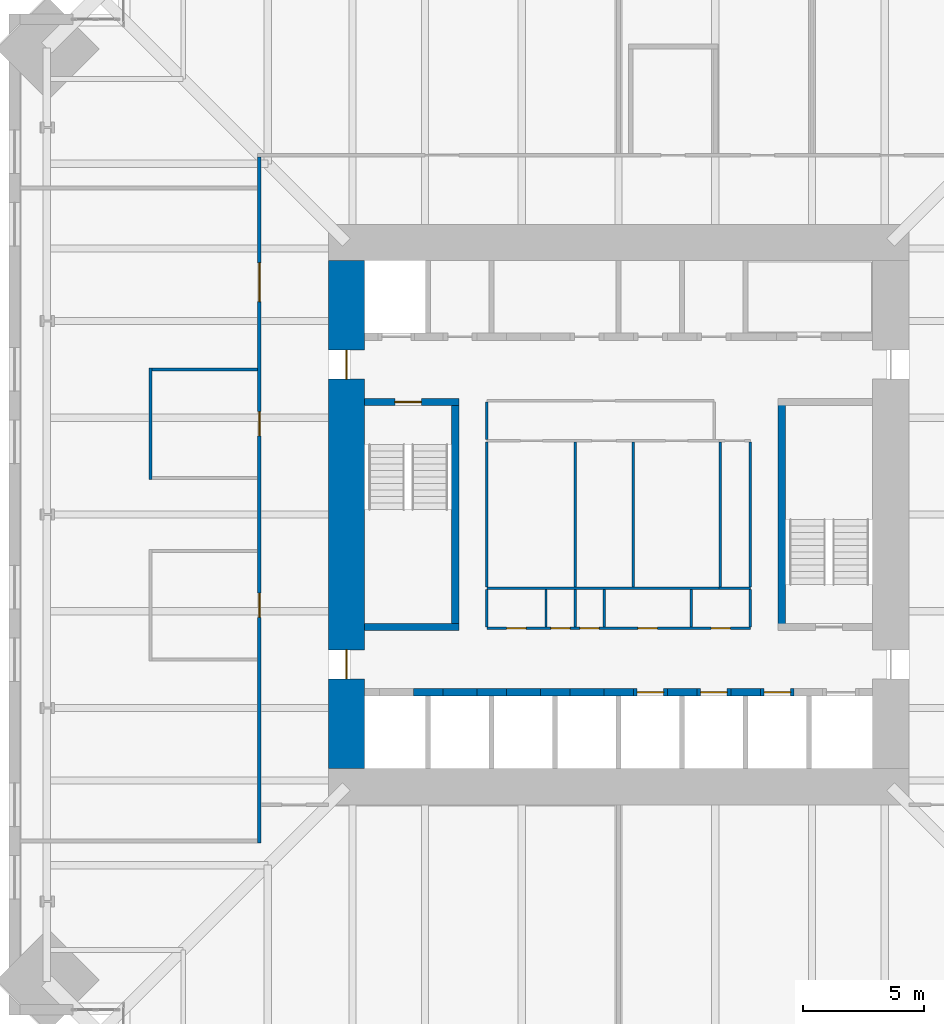
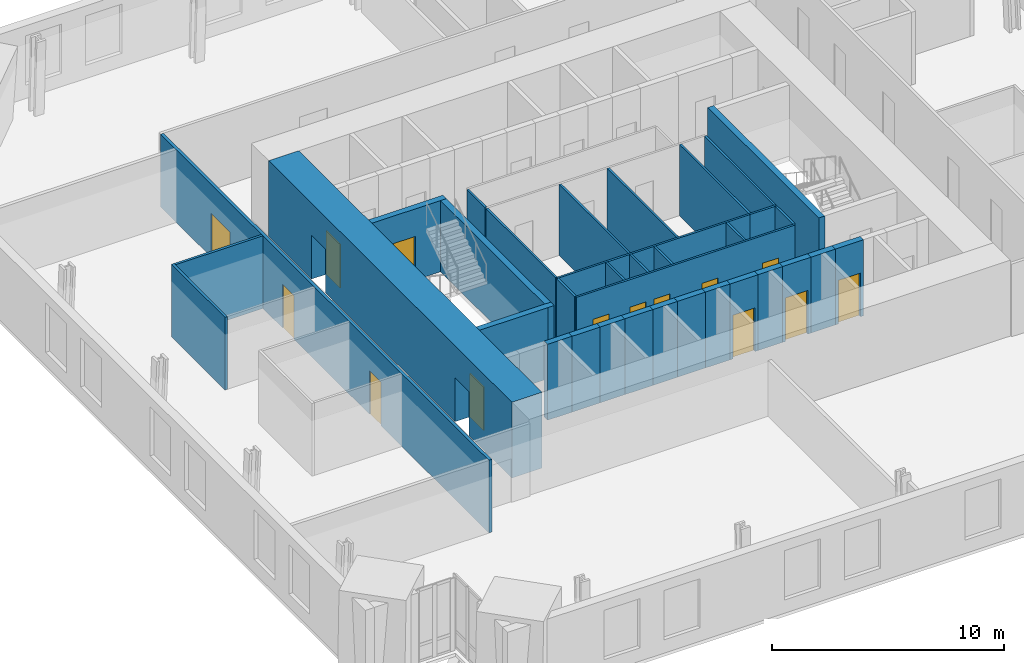
# One storey, part 11 of 15: 35 walls, 14 doors, 14 openings.
"""IFC4 building model written with IfcOpenShell, lengths in metres."""

from ifc_helpers import new_model, si_unit, direction, frame, frame_2d, origin, place, context, subcontext, project, spatial, rectangle, extrude, material, layer, layer_set, type_object, element, fill, save


model = new_model("IFC4")

# Units and contexts
model_context = context("Model", 3, precision=1e-05, world=origin(), true_north=direction((0.0, 1.0)))
body_context = subcontext(model_context, "Body", "Model", "MODEL_VIEW")
ifc_project = project(units=[si_unit("LENGTHUNIT", "METRE"), si_unit("AREAUNIT", "SQUARE_METRE"), si_unit("VOLUMEUNIT", "CUBIC_METRE"), si_unit("PLANEANGLEUNIT", "RADIAN"), si_unit("MASSUNIT", "GRAM", prefix="KILO")], contexts=[model_context])

# Site, building, storey
site_placement = place(None, origin())
site = spatial("IfcSite", under=ifc_project, at=site_placement, CompositionType="ELEMENT")
building_placement = place(site_placement, origin())
building = spatial("IfcBuilding", under=site, at=building_placement, Name="Peilmerk Tower", CompositionType="ELEMENT")
storey_placement = place(building_placement, frame((0.0, 0.0, 179.800048828125)))
storey = spatial("IfcBuildingStorey", under=building, at=storey_placement, Name="L38", CompositionType="ELEMENT", Elevation=179.800048828125)

# Wall, openings, doors
ifc_material_1 = material(Name="Calcium silicate block", Category="masonry")
ifc_layer_1 = layer(ifc_material_1, 0.14990234375)
ifc_layer_set_1 = layer_set([ifc_layer_1], Name="Calcium silicate block")
wall_type_1 = type_object("IfcWallType", Name="IW1 150 corridor partition, EI 60", PredefinedType="PARTITIONING", material=ifc_layer_set_1)
wall_1_placement = place(storey_placement, frame((-14.85009765625, 14.77490234375, 0.0), z_axis=(0.0, 0.0, 1.0), x_axis=(0.0, -1.0, 0.0)))
wall_1 = element("IfcWall", 1, at=wall_1_placement, inside=storey, type_object=wall_type_1, Name="Corridor wall W L38", PredefinedType="PARTITIONING", context=body_context, shape_type="SweptSolid", body=[
    extrude(rectangle(XDim=28.349853515625, YDim=0.14990234375, at=frame_2d((14.1748046875, 0.0))), origin(), (0.0, 0.0, 1.0), 3.829833984375),
])
opening_1_placement = place(wall_1_placement, frame((4.375, 0.0, 0.0)))
opening_1 = element("IfcOpeningElement", 2, at=opening_1_placement, cuts=wall_1, Name="Opening D9", PredefinedType="OPENING", context=body_context, shape_type="SweptSolid", body=[
    extrude(rectangle(XDim=1.60009765625, YDim=2.300048828125, at=frame_2d((0.800048828125, 1.14990234375))), frame((0.0, 0.0849609375, 0.0), z_axis=(0.0, -1.0, 0.0), x_axis=(1.0, 0.0, 0.0)), (0.0, 0.0, 1.0), 0.169921875),
])
opening_2_placement = place(wall_1_placement, frame((18.02490234375, 0.0, 0.0)))
opening_2 = element("IfcOpeningElement", 3, at=opening_2_placement, cuts=wall_1, Name="Opening D1", PredefinedType="OPENING", context=body_context, shape_type="SweptSolid", body=[
    extrude(rectangle(XDim=1.0, YDim=2.300048828125, at=frame_2d((0.5, 1.14990234375))), frame((0.0, 0.0849609375, 0.0), z_axis=(0.0, -1.0, 0.0), x_axis=(1.0, 0.0, 0.0)), (0.0, 0.0, 1.0), 0.169921875),
])
opening_3_placement = place(wall_1_placement, frame((10.52490234375, 0.0, 0.0)))
opening_3 = element("IfcOpeningElement", 4, at=opening_3_placement, cuts=wall_1, Name="Opening D1", PredefinedType="OPENING", context=body_context, shape_type="SweptSolid", body=[
    extrude(rectangle(XDim=1.0, YDim=2.300048828125, at=frame_2d((0.5, 1.14990234375))), frame((0.0, 0.0849609375, 0.0), z_axis=(0.0, -1.0, 0.0), x_axis=(1.0, 0.0, 0.0)), (0.0, 0.0, 1.0), 0.169921875),
])
ifc_material_2 = material(Name="Timber door in steel frame", Category="steel")
door_type_1 = type_object("IfcDoorType", Name="D1 1000x2300 room door, EI2 30", OperationType="SINGLE_SWING_LEFT", PredefinedType="DOOR", material=ifc_material_2)
door_1_placement = place(opening_2_placement, frame((1.0, 0.0, 0.0), z_axis=(0.0, 0.0, 1.0), x_axis=(-1.0, 0.0, 0.0)))
door_1 = element("IfcDoor", 5, at=door_1_placement, inside=storey, type_object=door_type_1, Name="Door Meeting room L38", OperationType="SINGLE_SWING_LEFT", OverallHeight=2.300048828125, OverallWidth=1.0, PredefinedType="DOOR", context=body_context, shape_type="SweptSolid", body=[
    extrude(rectangle(XDim=1.0, YDim=2.300048828125, at=frame_2d((0.5, 1.14990234375))), frame((0.0, 0.02490234375, 0.0), z_axis=(0.0, -1.0, 0.0), x_axis=(1.0, 0.0, 0.0)), (0.0, 0.0, 1.0), 0.050048828125),
])
fill(opening_2, door_1)
door_2_placement = place(opening_3_placement, frame((1.0, 0.0, 0.0), z_axis=(0.0, 0.0, 1.0), x_axis=(-1.0, 0.0, 0.0)))
door_2 = element("IfcDoor", 6, at=door_2_placement, inside=storey, type_object=door_type_1, Name="Door Focus room L38", OperationType="SINGLE_SWING_LEFT", OverallHeight=2.300048828125, OverallWidth=1.0, PredefinedType="DOOR", context=body_context, shape_type="SweptSolid", body=[
    extrude(rectangle(XDim=1.0, YDim=2.300048828125, at=frame_2d((0.5, 1.14990234375))), frame((0.0, 0.02490234375, 0.0), z_axis=(0.0, -1.0, 0.0), x_axis=(1.0, 0.0, 0.0)), (0.0, 0.0, 1.0), 0.050048828125),
])
fill(opening_3, door_2)
ifc_material_3 = material(Name="Glazed timber door in steel frame", Category="steel")
door_type_2 = type_object("IfcDoorType", Name="D9 1600x2300 glazed double door, EI2 30", OperationType="DOUBLE_DOOR_SINGLE_SWING", PredefinedType="DOOR", material=ifc_material_3)
door_3_placement = place(opening_1_placement, frame((1.60009765625, 0.0, 0.0), z_axis=(0.0, 0.0, 1.0), x_axis=(-1.0, 0.0, 0.0)))
door_3 = element("IfcDoor", 7, at=door_3_placement, inside=storey, type_object=door_type_2, Name="Door Open workspace L38", OperationType="DOUBLE_DOOR_SINGLE_SWING", OverallHeight=2.300048828125, OverallWidth=1.60009765625, PredefinedType="DOOR", context=body_context, shape_type="SweptSolid", body=[
    extrude(rectangle(XDim=1.60009765625, YDim=2.300048828125, at=frame_2d((0.800048828125, 1.14990234375))), frame((0.0, 0.02490234375, 0.0), z_axis=(0.0, -1.0, 0.0), x_axis=(1.0, 0.0, 0.0)), (0.0, 0.0, 1.0), 0.050048828125),
])
fill(opening_1, door_3)

# Wall
ifc_material_4 = material(Name="Concrete C35/45", Category="concrete")
ifc_layer_2 = layer(ifc_material_4, 0.300048828125)
ifc_layer_set_2 = layer_set([ifc_layer_2], Name="Concrete C35/45")
wall_type_2 = type_object("IfcWallType", Name="IW3 300 concrete stair enclosure wall, EI 120", PredefinedType="SOLIDWALL", material=ifc_layer_set_2)
wall_2_placement = place(storey_placement, frame((-6.75, -4.800048828125, 0.0), z_axis=(0.0, 0.0, 1.0), x_axis=(0.0, 1.0, 0.0)))
element("IfcWall", 8, at=wall_2_placement, inside=storey, type_object=wall_type_2, Name="Stair 1 enclosure L38", PredefinedType="SOLIDWALL", context=body_context, shape_type="SweptSolid", body=[
    extrude(rectangle(XDim=9.60009765625, YDim=0.300048828125, at=frame_2d((4.800048828125, 0.0))), origin(), (0.0, 0.0, 1.0), 3.75),
])

# Wall, opening, door
wall_3_placement = place(storey_placement, frame((-10.5, 4.64990234375, 0.0), z_axis=(0.0, 0.0, 1.0), x_axis=(1.0, 0.0, 0.0)))
wall_3 = element("IfcWall", 9, at=wall_3_placement, inside=storey, type_object=wall_type_2, Name="Stair 1 enclosure L38", PredefinedType="SOLIDWALL", context=body_context, shape_type="SweptSolid", body=[
    extrude(rectangle(XDim=3.89990234375, YDim=0.300048828125, at=frame_2d((1.949951171875, 0.0))), origin(), (0.0, 0.0, 1.0), 3.75),
])
opening_4_placement = place(wall_3_placement, frame((1.25, 0.0, 0.0)))
opening_4 = element("IfcOpeningElement", 10, at=opening_4_placement, cuts=wall_3, Name="Opening D4", PredefinedType="OPENING", context=body_context, shape_type="SweptSolid", body=[
    extrude(rectangle(XDim=1.10009765625, YDim=2.300048828125, at=frame_2d((0.550048828125, 1.14990234375))), frame((0.0, 0.159912109375, 0.0), z_axis=(0.0, -1.0, 0.0), x_axis=(1.0, 0.0, 0.0)), (0.0, 0.0, 1.0), 0.320068359375),
])
ifc_material_5 = material(Name="Steel door in steel frame", Category="steel")
door_type_3 = type_object("IfcDoorType", Name="D4 1100x2300 stair door, EI2 60", OperationType="SINGLE_SWING_RIGHT", PredefinedType="DOOR", material=ifc_material_5)
door_4_placement = place(opening_4_placement, frame((1.10009765625, 0.0, 0.0), z_axis=(0.0, 0.0, 1.0), x_axis=(-1.0, 0.0, 0.0)))
door_4 = element("IfcDoor", 11, at=door_4_placement, inside=storey, type_object=door_type_3, Name="Stair 1 door L38", OperationType="SINGLE_SWING_RIGHT", OverallHeight=2.300048828125, OverallWidth=1.10009765625, PredefinedType="DOOR", context=body_context, shape_type="SweptSolid", body=[
    extrude(rectangle(XDim=1.10009765625, YDim=2.300048828125, at=frame_2d((0.550048828125, 1.14990234375))), frame((0.0, 0.02490234375, 0.0), z_axis=(0.0, -1.0, 0.0), x_axis=(1.0, 0.0, 0.0)), (0.0, 0.0, 1.0), 0.050048828125),
])
fill(opening_4, door_4)

# Walls
wall_4_placement = place(storey_placement, frame((-6.60009765625, -4.64990234375, 0.0), z_axis=(0.0, 0.0, 1.0), x_axis=(-1.0, 0.0, 0.0)))
element("IfcWall", 12, at=wall_4_placement, inside=storey, type_object=wall_type_2, Name="Stair 1 enclosure L38", PredefinedType="SOLIDWALL", context=body_context, shape_type="SweptSolid", body=[
    extrude(rectangle(XDim=3.89990234375, YDim=0.300048828125, at=frame_2d((1.949951171875, 0.0))), origin(), (0.0, 0.0, 1.0), 3.75),
])
wall_5_placement = place(storey_placement, frame((6.75, -4.800048828125, 0.0), z_axis=(0.0, 0.0, 1.0), x_axis=(0.0, 1.0, 0.0)))
element("IfcWall", 13, at=wall_5_placement, inside=storey, type_object=wall_type_2, Name="Stair 2 enclosure L38", PredefinedType="SOLIDWALL", context=body_context, shape_type="SweptSolid", body=[
    extrude(rectangle(XDim=9.60009765625, YDim=0.300048828125, at=frame_2d((4.800048828125, 0.0))), origin(), (0.0, 0.0, 1.0), 3.75),
])
ifc_material_6 = material(Name="Plasterboard on steel studs", Category="steel")
ifc_layer_3 = layer(ifc_material_6, 0.10009765625)
ifc_layer_set_3 = layer_set([ifc_layer_3], Name="Plasterboard on steel studs")
wall_type_3 = type_object("IfcWallType", Name="IW4 100 WC partition", PredefinedType="PARTITIONING", material=ifc_layer_set_3)
wall_6_placement = place(storey_placement, frame((4.14990234375, -3.050048828125, 0.0), z_axis=(0.0, 0.0, 1.0), x_axis=(-1.0, 0.0, 0.0)))
element("IfcWall", 14, at=wall_6_placement, inside=storey, type_object=wall_type_3, Name="WC wall L38", PredefinedType="PARTITIONING", context=body_context, shape_type="SweptSolid", body=[
    extrude(rectangle(XDim=9.599853515625, YDim=0.10009765625, at=frame_2d((4.7998046875, 0.0))), origin(), (0.0, 0.0, 1.0), 3.75),
])
for number, where, z_axis, x_axis, name in (
    (15, (-5.449951171875, -3.0, 0.0), (0.0, 0.0, 1.0), (0.0, 1.0, 0.0), "WC wall L38"),
    (16, (-1.800048828125, -3.0, 0.0), (0.0, 0.0, 1.0), (0.0, 1.0, 0.0), "WC wall L38"),
    (17, (0.60009765625, -3.0, 0.0), (0.0, 0.0, 1.0), (0.0, 1.0, 0.0), "WC wall L38"),
):
    element("IfcWall", number, at=place(storey_placement, frame(where, z_axis=z_axis, x_axis=x_axis)), inside=storey, type_object=wall_type_3, Name=name, PredefinedType="PARTITIONING", context=body_context, shape_type="SweptSolid", body=[
        extrude(rectangle(XDim=6.0, YDim=0.10009765625, at=frame_2d((3.0, 0.0))), origin(), (0.0, 0.0, 1.0), 3.75),
    ])
ifc_material_7 = material(Name="Calcium silicate board on steel studs", Category="steel")
ifc_layer_4 = layer(ifc_material_7, 0.10009765625)
ifc_layer_set_4 = layer_set([ifc_layer_4], Name="Calcium silicate board on steel studs")
wall_type_4 = type_object("IfcWallType", Name="IW5 100 riser enclosure wall, EI 60", PredefinedType="PARTITIONING", material=ifc_layer_set_4)
wall_7_placement = place(storey_placement, frame((5.449951171875, -3.050048828125, 0.0), z_axis=(0.0, 0.0, 1.0), x_axis=(-1.0, 0.0, 0.0)))
element("IfcWall", 18, at=wall_7_placement, inside=storey, type_object=wall_type_4, Name="Riser wall L38", PredefinedType="PARTITIONING", context=body_context, shape_type="SweptSolid", body=[
    extrude(rectangle(XDim=1.300048828125, YDim=0.10009765625, at=frame_2d((0.64990234375, 0.0))), origin(), (0.0, 0.0, 1.0), 3.75),
])
for number, where, z_axis, x_axis, name in (
    (19, (5.449951171875, 3.0, 0.0), (0.0, 0.0, 1.0), (0.0, -1.0, 0.0), "Riser wall L38"),
    (20, (4.199951171875, -3.0, 0.0), (0.0, 0.0, 1.0), (0.0, 1.0, 0.0), "Riser wall L38"),
):
    element("IfcWall", number, at=place(storey_placement, frame(where, z_axis=z_axis, x_axis=x_axis)), inside=storey, type_object=wall_type_4, Name=name, PredefinedType="PARTITIONING", context=body_context, shape_type="SweptSolid", body=[
        extrude(rectangle(XDim=6.0, YDim=0.10009765625, at=frame_2d((3.0, 0.0))), origin(), (0.0, 0.0, 1.0), 3.75),
    ])

# Wall, openings, doors
wall_8_placement = place(storey_placement, frame((5.449951171875, -4.699951171875, 0.0), z_axis=(0.0, 0.0, 1.0), x_axis=(-1.0, 0.0, 0.0)))
wall_8 = element("IfcWall", 21, at=wall_8_placement, inside=storey, type_object=wall_type_4, Name="Riser wall L38", PredefinedType="PARTITIONING", context=body_context, shape_type="SweptSolid", body=[
    extrude(rectangle(XDim=10.89990234375, YDim=0.10009765625, at=frame_2d((5.449951171875, 0.0))), origin(), (0.0, 0.0, 1.0), 3.75),
])
opening_5_placement = place(wall_8_placement, frame((9.27490234375, 0.0, 0.0)))
opening_5 = element("IfcOpeningElement", 22, at=opening_5_placement, cuts=wall_8, Name="Opening D7", PredefinedType="OPENING", context=body_context, shape_type="SweptSolid", body=[
    extrude(rectangle(XDim=0.800048828125, YDim=2.300048828125, at=frame_2d((0.39990234375, 1.14990234375))), frame((0.0, 0.06005859375, 0.0), z_axis=(0.0, -1.0, 0.0), x_axis=(1.0, 0.0, 0.0)), (0.0, 0.0, 1.0), 0.1201171875),
])
opening_6_placement = place(wall_8_placement, frame((7.449951171875, 0.0, 0.0)))
opening_6 = element("IfcOpeningElement", 23, at=opening_6_placement, cuts=wall_8, Name="Opening D7", PredefinedType="OPENING", context=body_context, shape_type="SweptSolid", body=[
    extrude(rectangle(XDim=0.800048828125, YDim=2.300048828125, at=frame_2d((0.39990234375, 1.14990234375))), frame((0.0, 0.06005859375, 0.0), z_axis=(0.0, -1.0, 0.0), x_axis=(1.0, 0.0, 0.0)), (0.0, 0.0, 1.0), 0.1201171875),
])
opening_7_placement = place(wall_8_placement, frame((6.25, 0.0, 0.0)))
opening_7 = element("IfcOpeningElement", 24, at=opening_7_placement, cuts=wall_8, Name="Opening D7", PredefinedType="OPENING", context=body_context, shape_type="SweptSolid", body=[
    extrude(rectangle(XDim=0.800048828125, YDim=2.300048828125, at=frame_2d((0.39990234375, 1.14990234375))), frame((0.0, 0.06005859375, 0.0), z_axis=(0.0, -1.0, 0.0), x_axis=(1.0, 0.0, 0.0)), (0.0, 0.0, 1.0), 0.1201171875),
])
opening_8_placement = place(wall_8_placement, frame((3.85009765625, 0.0, 0.0)))
opening_8 = element("IfcOpeningElement", 25, at=opening_8_placement, cuts=wall_8, Name="Opening D7", PredefinedType="OPENING", context=body_context, shape_type="SweptSolid", body=[
    extrude(rectangle(XDim=0.800048828125, YDim=2.300048828125, at=frame_2d((0.39990234375, 1.14990234375))), frame((0.0, 0.06005859375, 0.0), z_axis=(0.0, -1.0, 0.0), x_axis=(1.0, 0.0, 0.0)), (0.0, 0.0, 1.0), 0.1201171875),
])
opening_9_placement = place(wall_8_placement, frame((0.824951171875, 0.0, 0.0)))
opening_9 = element("IfcOpeningElement", 26, at=opening_9_placement, cuts=wall_8, Name="Opening D7", PredefinedType="OPENING", context=body_context, shape_type="SweptSolid", body=[
    extrude(rectangle(XDim=0.800048828125, YDim=2.300048828125, at=frame_2d((0.39990234375, 1.14990234375))), frame((0.0, 0.06005859375, 0.0), z_axis=(0.0, -1.0, 0.0), x_axis=(1.0, 0.0, 0.0)), (0.0, 0.0, 1.0), 0.1201171875),
])
door_type_4 = type_object("IfcDoorType", Name="D7 800x2300 riser access door, EI2 60", OperationType="SINGLE_SWING_RIGHT", PredefinedType="DOOR", material=ifc_material_5)
door_5_placement = place(opening_5_placement, frame((0.800048828125, 0.0, 0.0), z_axis=(0.0, 0.0, 1.0), x_axis=(-1.0, 0.0, 0.0)))
door_5 = element("IfcDoor", 27, at=door_5_placement, inside=storey, type_object=door_type_4, Name="Cleaner's cupboard door L38", OperationType="SINGLE_SWING_RIGHT", OverallHeight=2.300048828125, OverallWidth=0.800048828125, PredefinedType="DOOR", context=body_context, shape_type="SweptSolid", body=[
    extrude(rectangle(XDim=0.800048828125, YDim=2.300048828125, at=frame_2d((0.39990234375, 1.14990234375))), frame((0.0, 0.02490234375, 0.0), z_axis=(0.0, -1.0, 0.0), x_axis=(1.0, 0.0, 0.0)), (0.0, 0.0, 1.0), 0.050048828125),
])
fill(opening_5, door_5)
door_6_placement = place(opening_6_placement, frame((0.800048828125, 0.0, 0.0), z_axis=(0.0, 0.0, 1.0), x_axis=(-1.0, 0.0, 0.0)))
door_6 = element("IfcDoor", 28, at=door_6_placement, inside=storey, type_object=door_type_4, Name="Electrical riser door L38", OperationType="SINGLE_SWING_RIGHT", OverallHeight=2.300048828125, OverallWidth=0.800048828125, PredefinedType="DOOR", context=body_context, shape_type="SweptSolid", body=[
    extrude(rectangle(XDim=0.800048828125, YDim=2.300048828125, at=frame_2d((0.39990234375, 1.14990234375))), frame((0.0, 0.02490234375, 0.0), z_axis=(0.0, -1.0, 0.0), x_axis=(1.0, 0.0, 0.0)), (0.0, 0.0, 1.0), 0.050048828125),
])
fill(opening_6, door_6)
door_7_placement = place(opening_7_placement, frame((0.800048828125, 0.0, 0.0), z_axis=(0.0, 0.0, 1.0), x_axis=(-1.0, 0.0, 0.0)))
door_7 = element("IfcDoor", 29, at=door_7_placement, inside=storey, type_object=door_type_4, Name="Data riser door L38", OperationType="SINGLE_SWING_RIGHT", OverallHeight=2.300048828125, OverallWidth=0.800048828125, PredefinedType="DOOR", context=body_context, shape_type="SweptSolid", body=[
    extrude(rectangle(XDim=0.800048828125, YDim=2.300048828125, at=frame_2d((0.39990234375, 1.14990234375))), frame((0.0, 0.02490234375, 0.0), z_axis=(0.0, -1.0, 0.0), x_axis=(1.0, 0.0, 0.0)), (0.0, 0.0, 1.0), 0.050048828125),
])
fill(opening_7, door_7)
door_8_placement = place(opening_8_placement, frame((0.800048828125, 0.0, 0.0), z_axis=(0.0, 0.0, 1.0), x_axis=(-1.0, 0.0, 0.0)))
door_8 = element("IfcDoor", 30, at=door_8_placement, inside=storey, type_object=door_type_4, Name="Comms room door L38", OperationType="SINGLE_SWING_RIGHT", OverallHeight=2.300048828125, OverallWidth=0.800048828125, PredefinedType="DOOR", context=body_context, shape_type="SweptSolid", body=[
    extrude(rectangle(XDim=0.800048828125, YDim=2.300048828125, at=frame_2d((0.39990234375, 1.14990234375))), frame((0.0, 0.02490234375, 0.0), z_axis=(0.0, -1.0, 0.0), x_axis=(1.0, 0.0, 0.0)), (0.0, 0.0, 1.0), 0.050048828125),
])
fill(opening_8, door_8)
door_9_placement = place(opening_9_placement, frame((0.800048828125, 0.0, 0.0), z_axis=(0.0, 0.0, 1.0), x_axis=(-1.0, 0.0, 0.0)))
door_9 = element("IfcDoor", 31, at=door_9_placement, inside=storey, type_object=door_type_4, Name="Water meter room door L38", OperationType="SINGLE_SWING_RIGHT", OverallHeight=2.300048828125, OverallWidth=0.800048828125, PredefinedType="DOOR", context=body_context, shape_type="SweptSolid", body=[
    extrude(rectangle(XDim=0.800048828125, YDim=2.300048828125, at=frame_2d((0.39990234375, 1.14990234375))), frame((0.0, 0.02490234375, 0.0), z_axis=(0.0, -1.0, 0.0), x_axis=(1.0, 0.0, 0.0)), (0.0, 0.0, 1.0), 0.050048828125),
])
fill(opening_9, door_9)

# Walls
for number, where, z_axis, x_axis, name in (
    (32, (-5.449951171875, -3.10009765625, 0.0), (0.0, 0.0, 1.0), (0.0, -1.0, 0.0), "Riser wall L38"),
    (33, (5.449951171875, -3.10009765625, 0.0), (0.0, 0.0, 1.0), (0.0, -1.0, 0.0), "Riser wall L38"),
    (34, (-3.0, -3.10009765625, 0.0), (0.0, 0.0, 1.0), (0.0, -1.0, 0.0), "Riser wall L38"),
    (35, (-1.800048828125, -3.10009765625, 0.0), (0.0, 0.0, 1.0), (0.0, -1.0, 0.0), "Riser wall L38"),
    (36, (-0.60009765625, -3.10009765625, 0.0), (0.0, 0.0, 1.0), (0.0, -1.0, 0.0), "Riser wall L38"),
    (37, (3.0, -3.10009765625, 0.0), (0.0, 0.0, 1.0), (0.0, -1.0, 0.0), "Riser wall L38"),
):
    element("IfcWall", number, at=place(storey_placement, frame(where, z_axis=z_axis, x_axis=x_axis)), inside=storey, type_object=wall_type_4, Name=name, PredefinedType="PARTITIONING", context=body_context, shape_type="SweptSolid", body=[
        extrude(rectangle(XDim=1.5498046875, YDim=0.10009765625, at=frame_2d((0.77490234375, 0.0))), origin(), (0.0, 0.0, 1.0), 3.75),
    ])
ifc_material_8 = material(Name="Plasterboard on steel studs, double boarded with mineral wool", Category="steel")
ifc_layer_5 = layer(ifc_material_8, 0.125)
ifc_layer_set_5 = layer_set([ifc_layer_5], Name="Plasterboard on steel studs, double boarded with mineral wool")
wall_type_5 = type_object("IfcWallType", Name="IW7 125 acoustic partition, EI 30", PredefinedType="PARTITIONING", material=ifc_layer_set_5)
wall_9_placement = place(storey_placement, frame((-19.35009765625, 1.4375, 0.0), z_axis=(0.0, 0.0, 1.0), x_axis=(0.0, 1.0, 0.0)))
element("IfcWall", 38, at=wall_9_placement, inside=storey, type_object=wall_type_5, Name="Acoustic partition Focus room L38", PredefinedType="PARTITIONING", context=body_context, shape_type="SweptSolid", body=[
    extrude(rectangle(XDim=4.625, YDim=0.125, at=frame_2d((2.3125, 0.0))), origin(), (0.0, 0.0, 1.0), 3.829833984375),
])
wall_10_placement = place(storey_placement, frame((-14.925048828125, 6.0, 0.0), z_axis=(0.0, 0.0, 1.0), x_axis=(-1.0, 0.0, 0.0)))
element("IfcWall", 39, at=wall_10_placement, inside=storey, type_object=wall_type_5, Name="Acoustic partition Focus room L38", PredefinedType="PARTITIONING", context=body_context, shape_type="SweptSolid", body=[
    extrude(rectangle(XDim=4.362548828125, YDim=0.125, at=frame_2d((2.18115234375, 0.0))), origin(), (0.0, 0.0, 1.0), 3.829833984375),
])
ifc_material_9 = material(Name="Fire-resisting plasterboard on steel studs", Category="steel")
ifc_layer_6 = layer(ifc_material_9, 0.10009765625)
ifc_layer_set_6 = layer_set([ifc_layer_6], Name="Fire-resisting plasterboard on steel studs")
wall_type_6 = type_object("IfcWallType", Name="IW9 100 WC lobby wall, EI 30", PredefinedType="PARTITIONING", material=ifc_layer_set_6)
wall_11_placement = place(storey_placement, frame((-5.449951171875, 3.10009765625, 0.0), z_axis=(0.0, 0.0, 1.0), x_axis=(0.0, 1.0, 0.0)))
element("IfcWall", 40, at=wall_11_placement, inside=storey, type_object=wall_type_6, Name="WC lobby wall L38", PredefinedType="PARTITIONING", context=body_context, shape_type="SweptSolid", body=[
    extrude(rectangle(XDim=1.5498046875, YDim=0.10009765625, at=frame_2d((0.77490234375, 0.0))), origin(), (0.0, 0.0, 1.0), 3.75),
])
ifc_layer_7 = layer(ifc_material_1, 0.300048828125)
ifc_layer_set_7 = layer_set([ifc_layer_7], Name="Calcium silicate block")
wall_type_7 = type_object("IfcWallType", Name="SH2 300 lift landing door panel, EI 120", PredefinedType="PARTITIONING", material=ifc_layer_set_7)
for number, where, z_axis, x_axis, name in (
    (41, (-7.262451171875, -7.35009765625, 0.0), (0.0, 0.0, 1.0), (1.0, 0.0, 0.0), "Lift door panel S C3 L38"),
    (42, (-4.637451171875, -7.35009765625, 0.0), (0.0, 0.0, 1.0), (1.0, 0.0, 0.0), "Lift door panel S C2 L38"),
    (43, (-2.012451171875, -7.35009765625, 0.0), (0.0, 0.0, 1.0), (1.0, 0.0, 0.0), "Lift door panel S C1 L38"),
):
    element("IfcWall", number, at=place(storey_placement, frame(where, z_axis=z_axis, x_axis=x_axis)), inside=storey, type_object=wall_type_7, Name=name, PredefinedType="PARTITIONING", context=body_context, shape_type="SweptSolid", body=[
        extrude(rectangle(XDim=1.39990234375, YDim=0.300048828125, at=frame_2d((0.699951171875, 0.0))), origin(), (0.0, 0.0, 1.0), 4.0),
    ])

# Wall, opening, door
wall_12_placement = place(storey_placement, frame((0.612548828125, -7.35009765625, 0.0), z_axis=(0.0, 0.0, 1.0), x_axis=(1.0, 0.0, 0.0)))
wall_12 = element("IfcWall", 44, at=wall_12_placement, inside=storey, type_object=wall_type_7, Name="Lift door panel S B3 L38", PredefinedType="PARTITIONING", context=body_context, shape_type="SweptSolid", body=[
    extrude(rectangle(XDim=1.39990234375, YDim=0.300048828125, at=frame_2d((0.699951171875, 0.0))), origin(), (0.0, 0.0, 1.0), 4.0),
])
opening_10_placement = place(wall_12_placement, frame((0.14990234375, 0.0, 0.0)))
opening_10 = element("IfcOpeningElement", 45, at=opening_10_placement, cuts=wall_12, Name="Opening LD1", PredefinedType="OPENING", context=body_context, shape_type="SweptSolid", body=[
    extrude(rectangle(XDim=1.10009765625, YDim=2.300048828125, at=frame_2d((0.550048828125, 1.14990234375))), frame((0.0, 0.159912109375, 0.0), z_axis=(0.0, -1.0, 0.0), x_axis=(1.0, 0.0, 0.0)), (0.0, 0.0, 1.0), 0.320068359375),
])
ifc_material_10 = material(Name="Stainless steel landing door", Category="steel")
door_type_5 = type_object("IfcDoorType", Name="LD1 1100x2300 lift landing door, sliding, EI2 60", OperationType="SLIDING_TO_LEFT", PredefinedType="DOOR", material=ifc_material_10)
door_10_placement = place(opening_10_placement, origin())
door_10 = element("IfcDoor", 46, at=door_10_placement, inside=storey, type_object=door_type_5, Name="Lift landing door B3 L38", OperationType="SLIDING_TO_LEFT", OverallHeight=2.300048828125, OverallWidth=1.10009765625, PredefinedType="DOOR", context=body_context, shape_type="SweptSolid", body=[
    extrude(rectangle(XDim=1.10009765625, YDim=2.300048828125, at=frame_2d((0.550048828125, 1.14990234375))), frame((0.0, 0.02490234375, 0.0), z_axis=(0.0, -1.0, 0.0), x_axis=(1.0, 0.0, 0.0)), (0.0, 0.0, 1.0), 0.050048828125),
])
fill(opening_10, door_10)

wall_13_placement = place(storey_placement, frame((3.237548828125, -7.35009765625, 0.0), z_axis=(0.0, 0.0, 1.0), x_axis=(1.0, 0.0, 0.0)))
wall_13 = element("IfcWall", 47, at=wall_13_placement, inside=storey, type_object=wall_type_7, Name="Lift door panel S B2 L38", PredefinedType="PARTITIONING", context=body_context, shape_type="SweptSolid", body=[
    extrude(rectangle(XDim=1.39990234375, YDim=0.300048828125, at=frame_2d((0.699951171875, 0.0))), origin(), (0.0, 0.0, 1.0), 4.0),
])
opening_11_placement = place(wall_13_placement, frame((0.14990234375, 0.0, 0.0)))
opening_11 = element("IfcOpeningElement", 48, at=opening_11_placement, cuts=wall_13, Name="Opening LD1", PredefinedType="OPENING", context=body_context, shape_type="SweptSolid", body=[
    extrude(rectangle(XDim=1.10009765625, YDim=2.300048828125, at=frame_2d((0.550048828125, 1.14990234375))), frame((0.0, 0.159912109375, 0.0), z_axis=(0.0, -1.0, 0.0), x_axis=(1.0, 0.0, 0.0)), (0.0, 0.0, 1.0), 0.320068359375),
])
door_11_placement = place(opening_11_placement, origin())
door_11 = element("IfcDoor", 49, at=door_11_placement, inside=storey, type_object=door_type_5, Name="Lift landing door B2 L38", OperationType="SLIDING_TO_LEFT", OverallHeight=2.300048828125, OverallWidth=1.10009765625, PredefinedType="DOOR", context=body_context, shape_type="SweptSolid", body=[
    extrude(rectangle(XDim=1.10009765625, YDim=2.300048828125, at=frame_2d((0.550048828125, 1.14990234375))), frame((0.0, 0.02490234375, 0.0), z_axis=(0.0, -1.0, 0.0), x_axis=(1.0, 0.0, 0.0)), (0.0, 0.0, 1.0), 0.050048828125),
])
fill(opening_11, door_11)

wall_14_placement = place(storey_placement, frame((5.862548828125, -7.35009765625, 0.0), z_axis=(0.0, 0.0, 1.0), x_axis=(1.0, 0.0, 0.0)))
wall_14 = element("IfcWall", 50, at=wall_14_placement, inside=storey, type_object=wall_type_7, Name="Lift door panel S B1 L38", PredefinedType="PARTITIONING", context=body_context, shape_type="SweptSolid", body=[
    extrude(rectangle(XDim=1.39990234375, YDim=0.300048828125, at=frame_2d((0.699951171875, 0.0))), origin(), (0.0, 0.0, 1.0), 4.0),
])
opening_12_placement = place(wall_14_placement, frame((0.14990234375, 0.0, 0.0)))
opening_12 = element("IfcOpeningElement", 51, at=opening_12_placement, cuts=wall_14, Name="Opening LD1", PredefinedType="OPENING", context=body_context, shape_type="SweptSolid", body=[
    extrude(rectangle(XDim=1.10009765625, YDim=2.300048828125, at=frame_2d((0.550048828125, 1.14990234375))), frame((0.0, 0.159912109375, 0.0), z_axis=(0.0, -1.0, 0.0), x_axis=(1.0, 0.0, 0.0)), (0.0, 0.0, 1.0), 0.320068359375),
])
door_12_placement = place(opening_12_placement, origin())
door_12 = element("IfcDoor", 52, at=door_12_placement, inside=storey, type_object=door_type_5, Name="Lift landing door B1 L38", OperationType="SLIDING_TO_LEFT", OverallHeight=2.300048828125, OverallWidth=1.10009765625, PredefinedType="DOOR", context=body_context, shape_type="SweptSolid", body=[
    extrude(rectangle(XDim=1.10009765625, YDim=2.300048828125, at=frame_2d((0.550048828125, 1.14990234375))), frame((0.0, 0.02490234375, 0.0), z_axis=(0.0, -1.0, 0.0), x_axis=(1.0, 0.0, 0.0)), (0.0, 0.0, 1.0), 0.050048828125),
])
fill(opening_12, door_12)

# Wall, openings, doors
ifc_material_11 = material(Name="Concrete C55/67", Category="concrete")
ifc_layer_8 = layer(ifc_material_11, 1.5)
ifc_layer_set_8 = layer_set([ifc_layer_8], Name="Concrete C55/67")
wall_type_8 = type_object("IfcWallType", Name="SW1 1500 core wall", PredefinedType="SHEAR", material=ifc_layer_set_8)
wall_15_placement = place(storey_placement, frame((-11.25, -10.5, 0.0), z_axis=(0.0, 0.0, 1.0), x_axis=(0.0, 1.0, 0.0)))
wall_15 = element("IfcWall", 53, at=wall_15_placement, inside=storey, type_object=wall_type_8, Name="Core wall W L38", PredefinedType="SHEAR", context=body_context, shape_type="SweptSolid", body=[
    extrude(rectangle(XDim=21.0, YDim=1.5, at=frame_2d((10.5, 0.0))), origin(), (0.0, 0.0, 1.0), 4.0),
])
opening_13_placement = place(wall_15_placement, frame((16.10009765625, 0.0, 0.0)))
opening_13 = element("IfcOpeningElement", 54, at=opening_13_placement, cuts=wall_15, Name="Opening D3", PredefinedType="OPENING", context=body_context, shape_type="SweptSolid", body=[
    extrude(rectangle(XDim=1.199951171875, YDim=2.300048828125, at=frame_2d((0.60009765625, 1.14990234375))), frame((0.0, 0.760009765625, 0.0), z_axis=(0.0, -1.0, 0.0), x_axis=(1.0, 0.0, 0.0)), (0.0, 0.0, 1.0), 1.52001953125),
])
opening_14_placement = place(wall_15_placement, frame((3.699951171875, 0.0, 0.0)))
opening_14 = element("IfcOpeningElement", 55, at=opening_14_placement, cuts=wall_15, Name="Opening D3", PredefinedType="OPENING", context=body_context, shape_type="SweptSolid", body=[
    extrude(rectangle(XDim=1.199951171875, YDim=2.300048828125, at=frame_2d((0.60009765625, 1.14990234375))), frame((0.0, 0.760009765625, 0.0), z_axis=(0.0, -1.0, 0.0), x_axis=(1.0, 0.0, 0.0)), (0.0, 0.0, 1.0), 1.52001953125),
])
door_type_6 = type_object("IfcDoorType", Name="D3 1200x2300 core door, EI2 60", OperationType="SINGLE_SWING_LEFT", PredefinedType="DOOR", material=ifc_material_5)
door_13_placement = place(opening_13_placement, frame((1.199951171875, 0.0, 0.0), z_axis=(0.0, 0.0, 1.0), x_axis=(-1.0, 0.0, 0.0)))
door_13 = element("IfcDoor", 56, at=door_13_placement, inside=storey, type_object=door_type_6, Name="Core door L38", OperationType="SINGLE_SWING_LEFT", OverallHeight=2.300048828125, OverallWidth=1.199951171875, PredefinedType="DOOR", context=body_context, shape_type="SweptSolid", body=[
    extrude(rectangle(XDim=1.199951171875, YDim=2.300048828125, at=frame_2d((0.60009765625, 1.14990234375))), frame((0.0, 0.02490234375, 0.0), z_axis=(0.0, -1.0, 0.0), x_axis=(1.0, 0.0, 0.0)), (0.0, 0.0, 1.0), 0.050048828125),
])
fill(opening_13, door_13)
door_14_placement = place(opening_14_placement, frame((1.199951171875, 0.0, 0.0), z_axis=(0.0, 0.0, 1.0), x_axis=(-1.0, 0.0, 0.0)))
door_14 = element("IfcDoor", 57, at=door_14_placement, inside=storey, type_object=door_type_6, Name="Core door L38", OperationType="SINGLE_SWING_LEFT", OverallHeight=2.300048828125, OverallWidth=1.199951171875, PredefinedType="DOOR", context=body_context, shape_type="SweptSolid", body=[
    extrude(rectangle(XDim=1.199951171875, YDim=2.300048828125, at=frame_2d((0.60009765625, 1.14990234375))), frame((0.0, 0.02490234375, 0.0), z_axis=(0.0, -1.0, 0.0), x_axis=(1.0, 0.0, 0.0)), (0.0, 0.0, 1.0), 0.050048828125),
])
fill(opening_14, door_14)

# Walls
ifc_layer_9 = layer(ifc_material_11, 0.300048828125)
ifc_layer_set_9 = layer_set([ifc_layer_9], Name="Concrete C55/67")
wall_type_9 = type_object("IfcWallType", Name="SW2 300 lift bank pier", PredefinedType="SHEAR", material=ifc_layer_set_9)
for number, where, z_axis, x_axis, name in (
    (58, (-8.487548828125, -7.35009765625, 0.0), (0.0, 0.0, 1.0), (1.0, 0.0, 0.0), "Lift bank pier S L38"),
    (59, (-5.862548828125, -7.35009765625, 0.0), (0.0, 0.0, 1.0), (1.0, 0.0, 0.0), "Lift bank pier S L38"),
    (60, (-3.237548828125, -7.35009765625, 0.0), (0.0, 0.0, 1.0), (1.0, 0.0, 0.0), "Lift bank pier S L38"),
    (61, (-0.612548828125, -7.35009765625, 0.0), (0.0, 0.0, 1.0), (1.0, 0.0, 0.0), "Lift bank pier S L38"),
    (62, (2.012451171875, -7.35009765625, 0.0), (0.0, 0.0, 1.0), (1.0, 0.0, 0.0), "Lift bank pier S L38"),
    (63, (4.637451171875, -7.35009765625, 0.0), (0.0, 0.0, 1.0), (1.0, 0.0, 0.0), "Lift bank pier S L38"),
):
    element("IfcWall", number, at=place(storey_placement, frame(where, z_axis=z_axis, x_axis=x_axis)), inside=storey, type_object=wall_type_9, Name=name, PredefinedType="SHEAR", context=body_context, shape_type="SweptSolid", body=[
        extrude(rectangle(XDim=1.22509765625, YDim=0.300048828125, at=frame_2d((0.612548828125, 0.0))), origin(), (0.0, 0.0, 1.0), 4.0),
    ])

save(model, "model.ifc")
